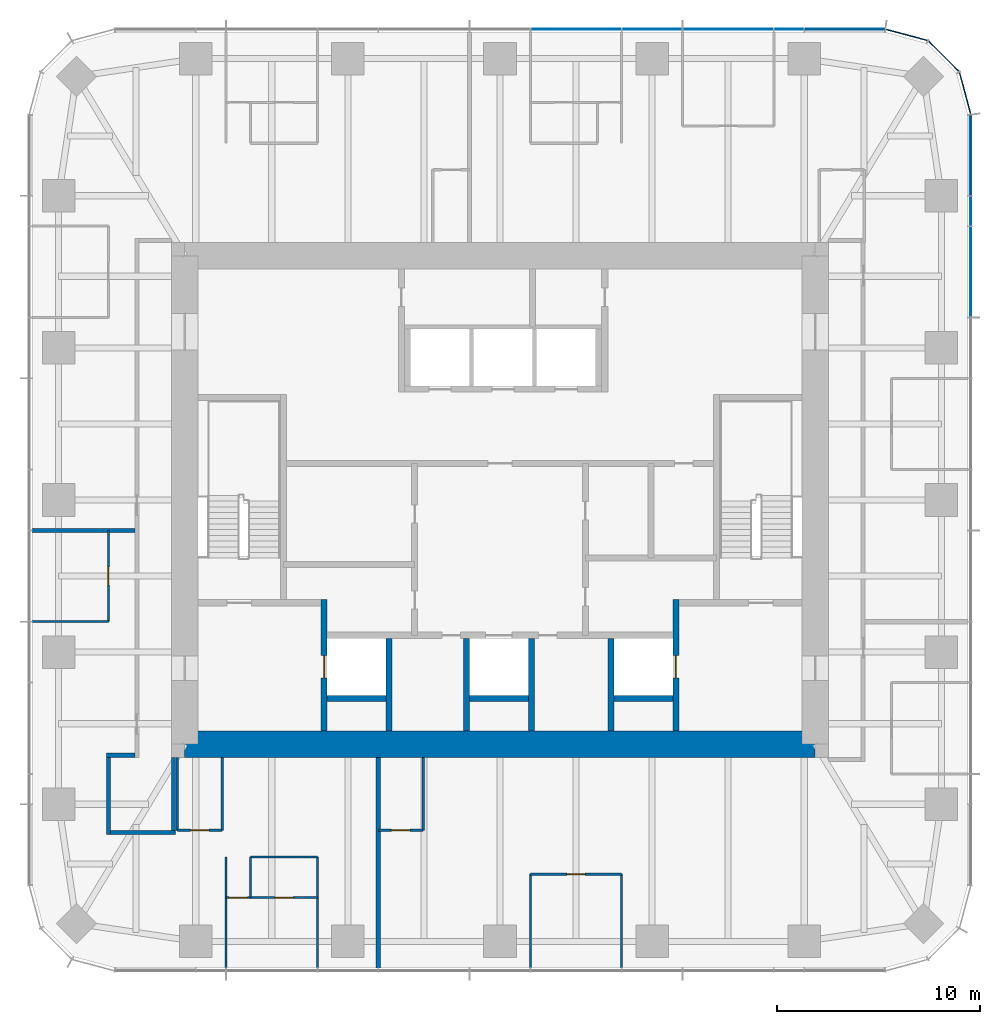
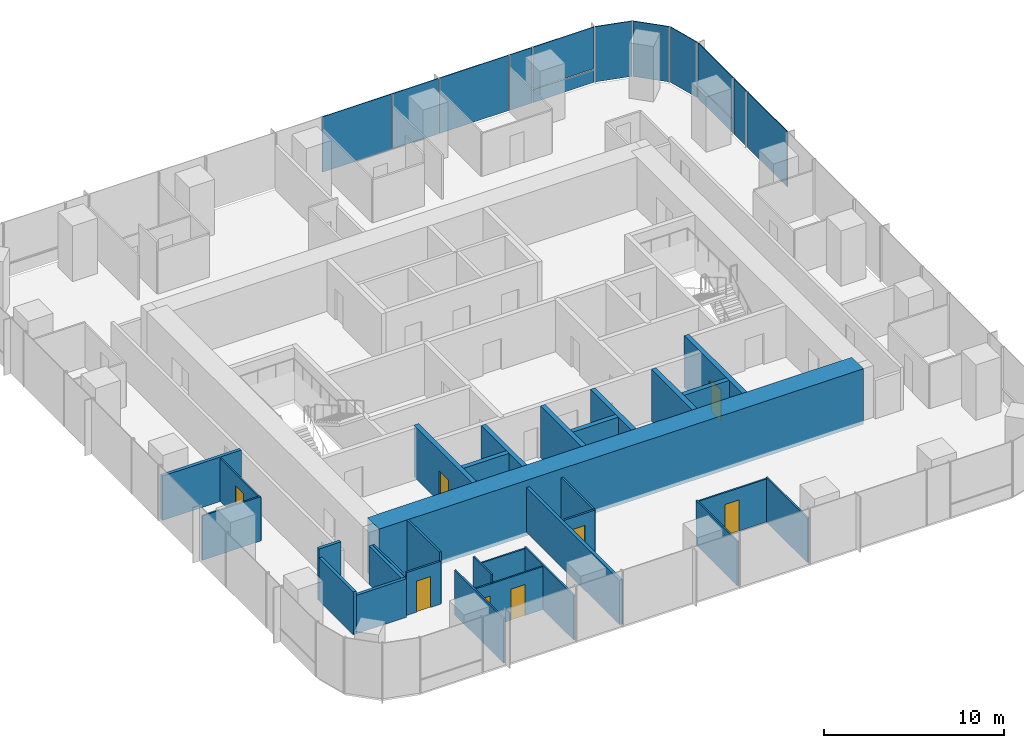
# One storey, part 8 of 12: 31 walls, 13 plates, 8 doors, 8 openings, 3 elements without a shape of their own.
"""IFC4 building model written with IfcOpenShell, lengths in metres."""

from ifc_helpers import new_model, si_unit, direction, frame, frame_2d, origin, origin_2d, place, context, subcontext, project, spatial, rectangle, extrude, material, layer, layer_set, type_object, element, fill, aggregate, save


model = new_model("IFC4")

# Units and contexts
model_context = context("Model", 3, precision=1e-05, world=origin(), true_north=direction((0.0, 1.0)))
body_context = subcontext(model_context, "Body", "Model", "MODEL_VIEW")
ifc_project = project(units=[si_unit("LENGTHUNIT", "METRE"), si_unit("AREAUNIT", "SQUARE_METRE"), si_unit("VOLUMEUNIT", "CUBIC_METRE"), si_unit("PLANEANGLEUNIT", "RADIAN"), si_unit("MASSUNIT", "GRAM", prefix="KILO")], contexts=[model_context])

# Site, building, storey
site_placement = place(None, origin())
site = spatial("IfcSite", under=ifc_project, at=site_placement, CompositionType="ELEMENT")
building_placement = place(site_placement, origin())
building = spatial("IfcBuilding", under=site, at=building_placement, Name="Khuree Lantern Residences", CompositionType="ELEMENT")
storey_placement = place(building_placement, frame((0.0, 0.0, 338.25)))
storey = spatial("IfcBuildingStorey", under=building, at=storey_placement, Name="L85", CompositionType="ELEMENT", Elevation=338.25)

# Curtain wall, plates
ifc_material_1 = material(Name="Bronze anodised aluminium", Category="aluminium")
curtain_wall_type_1 = type_object("IfcCurtainWallType", Name="CW-T2 TOWER CORNER CURTAIN WALL", PredefinedType="USERDEFINED", material=ifc_material_1)
curtain_wall_1_placement = place(storey_placement, origin())
curtain_wall_1 = element("IfcCurtainWall", 1, at=curtain_wall_1_placement, inside=storey, type_object=curtain_wall_type_1, Name="L85 NORTH-EAST CORNER CURTAIN WALL", ObjectType="Faceted corner curtain wall", PredefinedType="USERDEFINED")
ifc_material_2 = material(Name="Bronze tinted triple glazing", Category="glass")
ifc_layer_1 = layer(ifc_material_2, 0.048095703125)
ifc_layer_set_1 = layer_set([ifc_layer_1], Name="FACET PANEL P4")
plate_type_1 = type_object("IfcPlateType", Name="FACET PANEL P4", PredefinedType="CURTAIN_PANEL", material=ifc_layer_set_1)
plate_1_placement = place(storey_placement, frame((22.869140625, 19.998046875, 0.0), z_axis=(0.0, 0.0, 1.0), x_axis=(-0.2588189146, 0.965925861257, 0.0)))
plate_1 = element("IfcPlate", 2, at=plate_1_placement, type_object=plate_type_1, Name="L85 NORTH-EAST CORNER PANEL 15.1", PredefinedType="CURTAIN_PANEL", context=body_context, shape_type="SweptSolid", body=[
    extrude(rectangle(XDim=2.09814453125, YDim=0.048095703125, at=origin_2d()), origin(), (0.0, 0.0, 1.0), 3.75),
])
plate_2_placement = place(storey_placement, frame((21.818603515625, 21.818603515625, 0.0), z_axis=(0.0, 0.0, 1.0), x_axis=(-0.707106781187, 0.707106781187, 0.0)))
plate_2 = element("IfcPlate", 3, at=plate_2_placement, type_object=plate_type_1, Name="L85 NORTH-EAST CORNER PANEL 16.1", PredefinedType="CURTAIN_PANEL", context=body_context, shape_type="SweptSolid", body=[
    extrude(rectangle(XDim=2.093994140625, YDim=0.048095703125, at=origin_2d()), origin(), (0.0, 0.0, 1.0), 3.75),
])
plate_3_placement = place(storey_placement, frame((19.998046875, 22.869140625, 0.0), z_axis=(0.0, 0.0, 1.0), x_axis=(-0.965925861257, 0.2588189146, 0.0)))
plate_3 = element("IfcPlate", 4, at=plate_3_placement, type_object=plate_type_1, Name="L85 NORTH-EAST CORNER PANEL 17.1", PredefinedType="CURTAIN_PANEL", context=body_context, shape_type="SweptSolid", body=[
    extrude(rectangle(XDim=2.09814453125, YDim=0.048095703125, at=origin_2d()), origin(), (0.0, 0.0, 1.0), 3.75),
])
aggregate(curtain_wall_1, [plate_1, plate_2, plate_3])

# Curtain wall, plate
curtain_wall_type_2 = type_object("IfcCurtainWallType", Name="CW-T1 TOWER FACE CURTAIN WALL", PredefinedType="USERDEFINED", material=ifc_material_1)
curtain_wall_2_placement = place(storey_placement, origin())
curtain_wall_2 = element("IfcCurtainWall", 5, at=curtain_wall_2_placement, inside=storey, type_object=curtain_wall_type_2, Name="L85 EAST FACE CURTAIN WALL", ObjectType="Stick-built curtain wall", PredefinedType="USERDEFINED")
ifc_material_3 = material(Name="Bronze tinted triple glazing with a ceramic-fritted spandrel band", Category="glass")
ifc_layer_2 = layer(ifc_material_3, 0.048095703125)
ifc_layer_set_2 = layer_set([ifc_layer_2], Name="FIXED LIGHT PANEL P11")
plate_type_2 = type_object("IfcPlateType", Name="FIXED LIGHT PANEL P11", PredefinedType="CURTAIN_PANEL", material=ifc_layer_set_2)
plate_4_placement = place(storey_placement, frame((23.14990234375, 11.219970703125, 0.0), z_axis=(0.0, 0.0, 1.0), x_axis=(0.0, 1.0, 0.0)))
plate_4 = element("IfcPlate", 6, at=plate_4_placement, type_object=plate_type_2, Name="L85 EAST FACE PANEL 12.1", PredefinedType="CURTAIN_PANEL", context=body_context, shape_type="SweptSolid", body=[
    extrude(rectangle(XDim=4.423095703125, YDim=0.048095703125, at=origin_2d()), origin(), (0.0, 0.0, 1.0), 3.75),
])

# Curtain wall, plates
curtain_wall_3_placement = place(storey_placement, origin())
curtain_wall_3 = element("IfcCurtainWall", 7, at=curtain_wall_3_placement, inside=storey, type_object=curtain_wall_type_2, Name="L85 NORTH FACE CURTAIN WALL", ObjectType="Stick-built curtain wall", PredefinedType="USERDEFINED")
plate_5_placement = place(storey_placement, frame((11.219970703125, 23.14990234375, 0.0), z_axis=(0.0, 0.0, 1.0), x_axis=(-1.0, 0.0, 0.0)))
plate_5 = element("IfcPlate", 8, at=plate_5_placement, type_object=plate_type_2, Name="L85 NORTH FACE PANEL 20.1", PredefinedType="CURTAIN_PANEL", context=body_context, shape_type="SweptSolid", body=[
    extrude(rectangle(XDim=4.423095703125, YDim=0.048095703125, at=origin_2d()), origin(), (0.0, 0.0, 1.0), 3.75),
])
plate_6_placement = place(storey_placement, frame((3.739990234375, 23.14990234375, 0.0), z_axis=(0.0, 0.0, 1.0), x_axis=(-1.0, 0.0, 0.0)))
plate_6 = element("IfcPlate", 9, at=plate_6_placement, type_object=plate_type_2, Name="L85 NORTH FACE PANEL 22.1", PredefinedType="CURTAIN_PANEL", context=body_context, shape_type="SweptSolid", body=[
    extrude(rectangle(XDim=4.423095703125, YDim=0.048095703125, at=origin_2d()), origin(), (0.0, 0.0, 1.0), 3.75),
])
ifc_material_4 = material(Name="Bronze tinted triple glazing, two aluminium-framed sashes in one frame", Category="aluminium")
ifc_layer_3 = layer(ifc_material_4, 0.048095703125)
ifc_layer_set_3 = layer_set([ifc_layer_3], Name="SASH PAIR PANEL P12")
plate_type_3 = type_object("IfcPlateType", Name="SASH PAIR PANEL P12", PredefinedType="CURTAIN_PANEL", material=ifc_layer_set_3)
plate_7_placement = place(storey_placement, frame((7.47998046875, 23.14990234375, 0.0), z_axis=(0.0, 0.0, 1.0), x_axis=(-1.0, 0.0, 0.0)))
plate_7 = element("IfcPlate", 10, at=plate_7_placement, type_object=plate_type_3, Name="L85 NORTH FACE PANEL 21.1", PredefinedType="CURTAIN_PANEL", context=body_context, shape_type="SweptSolid", body=[
    extrude(rectangle(XDim=2.927001953125, YDim=0.048095703125, at=origin_2d()), origin(), (0.0, 0.0, 1.0), 3.75),
])

# Plate
ifc_material_5 = material(Name="Bronze tinted triple glazing, aluminium-framed sash", Category="aluminium")
ifc_layer_4 = layer(ifc_material_5, 0.048095703125)
ifc_layer_set_4 = layer_set([ifc_layer_4], Name="SASH PANEL P3")
plate_type_4 = type_object("IfcPlateType", Name="SASH PANEL P3", PredefinedType="CURTAIN_PANEL", material=ifc_layer_set_4)
plate_8_placement = place(storey_placement, frame((23.14990234375, 14.2119140625, 0.0), z_axis=(0.0, 0.0, 1.0), x_axis=(0.0, 1.0, 0.0)))
plate_8 = element("IfcPlate", 11, at=plate_8_placement, type_object=plate_type_4, Name="L85 EAST FACE PANEL 13.1", PredefinedType="CURTAIN_PANEL", context=body_context, shape_type="SweptSolid", body=[
    extrude(rectangle(XDim=1.430908203125, YDim=0.048095703125, at=origin_2d()), origin(), (0.0, 0.0, 1.0), 3.75),
])

plate_9_placement = place(storey_placement, frame((14.2119140625, 23.14990234375, 0.0), z_axis=(0.0, 0.0, 1.0), x_axis=(-1.0, 0.0, 0.0)))
plate_9 = element("IfcPlate", 12, at=plate_9_placement, type_object=plate_type_4, Name="L85 NORTH FACE PANEL 19.1", PredefinedType="CURTAIN_PANEL", context=body_context, shape_type="SweptSolid", body=[
    extrude(rectangle(XDim=1.430908203125, YDim=0.048095703125, at=origin_2d()), origin(), (0.0, 0.0, 1.0), 3.75),
])

ifc_material_6 = material(Name="Bronze anodised aluminium insulated spandrel", Category="aluminium")
ifc_layer_5 = layer(ifc_material_6, 0.06005859375)
ifc_layer_set_5 = layer_set([ifc_layer_5], Name="SPANDREL PANEL P2")
plate_type_5 = type_object("IfcPlateType", Name="SPANDREL PANEL P2", PredefinedType="CURTAIN_PANEL", material=ifc_layer_set_5)
plate_10_placement = place(storey_placement, frame((23.14990234375, 16.952880859375, 0.0), z_axis=(0.0, 0.0, 1.0), x_axis=(0.0, 1.0, 0.0)))
plate_10 = element("IfcPlate", 13, at=plate_10_placement, type_object=plate_type_5, Name="L85 EAST FACE PANEL 14.1", PredefinedType="CURTAIN_PANEL", context=body_context, shape_type="SweptSolid", body=[
    extrude(rectangle(XDim=3.920654296875, YDim=0.06005859375, at=origin_2d()), origin(), (0.0, 0.0, 1.0), 0.867431640625),
])

plate_11_placement = place(storey_placement, frame((16.952880859375, 23.14990234375, 0.0), z_axis=(0.0, 0.0, 1.0), x_axis=(-1.0, 0.0, 0.0)))
plate_11 = element("IfcPlate", 14, at=plate_11_placement, type_object=plate_type_5, Name="L85 NORTH FACE PANEL 18.1", PredefinedType="CURTAIN_PANEL", context=body_context, shape_type="SweptSolid", body=[
    extrude(rectangle(XDim=3.920654296875, YDim=0.06005859375, at=origin_2d()), origin(), (0.0, 0.0, 1.0), 0.867431640625),
])

ifc_layer_6 = layer(ifc_material_2, 0.048095703125)
ifc_layer_set_6 = layer_set([ifc_layer_6], Name="VISION PANEL P1")
plate_type_6 = type_object("IfcPlateType", Name="VISION PANEL P1", PredefinedType="CURTAIN_PANEL", material=ifc_layer_set_6)
plate_12_placement = place(storey_placement, frame((23.14990234375, 16.953369140625, 0.9326171875), z_axis=(0.0, 0.0, 1.0), x_axis=(0.0, 1.0, 0.0)))
plate_12 = element("IfcPlate", 15, at=plate_12_placement, type_object=plate_type_6, Name="L85 EAST FACE PANEL 14.2", PredefinedType="CURTAIN_PANEL", context=body_context, shape_type="SweptSolid", body=[
    extrude(rectangle(XDim=3.921630859375, YDim=0.048095703125, at=origin_2d()), origin(), (0.0, 0.0, 1.0), 2.8173828125),
])

aggregate(curtain_wall_2, [plate_4, plate_8, plate_10, plate_12])

plate_13_placement = place(storey_placement, frame((16.953369140625, 23.14990234375, 0.9326171875), z_axis=(0.0, 0.0, 1.0), x_axis=(-1.0, 0.0, 0.0)))
plate_13 = element("IfcPlate", 16, at=plate_13_placement, type_object=plate_type_6, Name="L85 NORTH FACE PANEL 18.2", PredefinedType="CURTAIN_PANEL", context=body_context, shape_type="SweptSolid", body=[
    extrude(rectangle(XDim=3.921630859375, YDim=0.048095703125, at=origin_2d()), origin(), (0.0, 0.0, 1.0), 2.8173828125),
])

aggregate(curtain_wall_3, [plate_11, plate_13, plate_9, plate_5, plate_7, plate_6])

# Wall, opening, door
ifc_material_7 = material(Name="Moisture-resistant gypsum board on steel studs", Category="steel")
ifc_layer_7 = layer(ifc_material_7, 0.125)
ifc_layer_set_7 = layer_set([ifc_layer_7], Name="BATHROOM WALL BTW125")
wall_type_1 = type_object("IfcWallType", Name="BATHROOM WALL BTW125", PredefinedType="PARTITIONING", material=ifc_layer_set_7)
wall_1_placement = place(storey_placement, frame((-15.866455078125, -16.246337890625, 0.0), z_axis=(0.0, 0.0, 1.0), x_axis=(1.0, 0.0, 0.0)))
wall_1 = element("IfcWall", 17, at=wall_1_placement, inside=storey, type_object=wall_type_1, Name="L85 BATHROOM WALL 03", PredefinedType="PARTITIONING", context=body_context, shape_type="SweptSolid", body=[
    extrude(rectangle(XDim=2.199951171875, YDim=0.125, at=frame_2d((1.10009765625, 0.0))), origin(), (0.0, 0.0, 1.0), 2.89990234375),
])
opening_1_placement = place(wall_1_placement, frame((0.64990234375, 0.0, 0.0)))
opening_1 = element("IfcOpeningElement", 18, at=opening_1_placement, cuts=wall_1, Name="Opening 85-037", PredefinedType="OPENING", context=body_context, shape_type="SweptSolid", body=[
    extrude(rectangle(XDim=0.89990234375, YDim=2.10009765625, at=frame_2d((0.449951171875, 1.050048828125))), frame((0.0, 0.072509765625, 0.0), z_axis=(0.0, -1.0, 0.0), x_axis=(1.0, 0.0, 0.0)), (0.0, 0.0, 1.0), 0.14501953125),
])
ifc_material_8 = material(Name="Timber door leaf in hardwood frame", Category="wood")
door_type_1 = type_object("IfcDoorType", Name="BATHROOM DOOR 900X2100", OperationType="SINGLE_SWING_LEFT", PredefinedType="DOOR", material=ifc_material_8)
door_1_placement = place(opening_1_placement, origin())
door_1 = element("IfcDoor", 19, at=door_1_placement, inside=storey, type_object=door_type_1, Name="Bathroom door 85-037", OperationType="SINGLE_SWING_LEFT", OverallHeight=2.10009765625, OverallWidth=0.89990234375, PredefinedType="DOOR", context=body_context, shape_type="SweptSolid", body=[
    extrude(rectangle(XDim=0.89990234375, YDim=2.10009765625, at=frame_2d((0.449951171875, 1.050048828125))), frame((0.0, 0.02490234375, 0.0), z_axis=(0.0, -1.0, 0.0), x_axis=(1.0, 0.0, 0.0)), (0.0, 0.0, 1.0), 0.050048828125),
])
fill(opening_1, door_1)

# Walls
wall_2_placement = place(storey_placement, frame((-15.866455078125, -12.64990234375, 0.0), z_axis=(0.0, 0.0, 1.0), x_axis=(0.0, -1.0, 0.0)))
element("IfcWall", 20, at=wall_2_placement, inside=storey, type_object=wall_type_1, Name="L85 BATHROOM WALL 03", PredefinedType="PARTITIONING", context=body_context, shape_type="SweptSolid", body=[
    extrude(rectangle(XDim=3.596435546875, YDim=0.125, at=frame_2d((1.79833984375, 0.0))), origin(), (0.0, 0.0, 1.0), 2.60009765625),
])
wall_3_placement = place(storey_placement, frame((-13.66650390625, -12.64990234375, 0.0), z_axis=(0.0, 0.0, 1.0), x_axis=(0.0, -1.0, 0.0)))
element("IfcWall", 21, at=wall_3_placement, inside=storey, type_object=wall_type_1, Name="L85 BATHROOM WALL 03", PredefinedType="PARTITIONING", context=body_context, shape_type="SweptSolid", body=[
    extrude(rectangle(XDim=3.596435546875, YDim=0.125, at=frame_2d((1.79833984375, 0.0))), origin(), (0.0, 0.0, 1.0), 3.5),
])

# Wall, opening, door
wall_4_placement = place(storey_placement, frame((-5.98388671875, -16.246337890625, 0.0), z_axis=(0.0, 0.0, 1.0), x_axis=(1.0, 0.0, 0.0)))
wall_4 = element("IfcWall", 22, at=wall_4_placement, inside=storey, type_object=wall_type_1, Name="L85 BATHROOM WALL 04", PredefinedType="PARTITIONING", context=body_context, shape_type="SweptSolid", body=[
    extrude(rectangle(XDim=2.199951171875, YDim=0.125, at=frame_2d((1.10009765625, 0.0))), origin(), (0.0, 0.0, 1.0), 2.909912109375),
])
opening_2_placement = place(wall_4_placement, frame((0.64990234375, 0.0, 0.0)))
opening_2 = element("IfcOpeningElement", 23, at=opening_2_placement, cuts=wall_4, Name="Opening 85-041", PredefinedType="OPENING", context=body_context, shape_type="SweptSolid", body=[
    extrude(rectangle(XDim=0.89990234375, YDim=2.10009765625, at=frame_2d((0.449951171875, 1.050048828125))), frame((0.0, 0.072509765625, 0.0), z_axis=(0.0, -1.0, 0.0), x_axis=(1.0, 0.0, 0.0)), (0.0, 0.0, 1.0), 0.14501953125),
])
door_2_placement = place(opening_2_placement, origin())
door_2 = element("IfcDoor", 24, at=door_2_placement, inside=storey, type_object=door_type_1, Name="Bathroom door 85-041", OperationType="SINGLE_SWING_LEFT", OverallHeight=2.10009765625, OverallWidth=0.89990234375, PredefinedType="DOOR", context=body_context, shape_type="SweptSolid", body=[
    extrude(rectangle(XDim=0.89990234375, YDim=2.10009765625, at=frame_2d((0.449951171875, 1.050048828125))), frame((0.0, 0.02490234375, 0.0), z_axis=(0.0, -1.0, 0.0), x_axis=(1.0, 0.0, 0.0)), (0.0, 0.0, 1.0), 0.050048828125),
])
fill(opening_2, door_2)

# Wall
wall_5_placement = place(storey_placement, frame((-3.783935546875, -12.64990234375, 0.0), z_axis=(0.0, 0.0, 1.0), x_axis=(0.0, -1.0, 0.0)))
element("IfcWall", 25, at=wall_5_placement, inside=storey, type_object=wall_type_1, Name="L85 BATHROOM WALL 04", PredefinedType="PARTITIONING", context=body_context, shape_type="SweptSolid", body=[
    extrude(rectangle(XDim=3.596435546875, YDim=0.125, at=frame_2d((1.79833984375, 0.0))), origin(), (0.0, 0.0, 1.0), 2.909912109375),
])

# Wall, opening, door
ifc_material_9 = material(Name="Dense concrete blockwork", Category="masonry")
ifc_layer_8 = layer(ifc_material_9, 0.300048828125)
ifc_layer_set_8 = layer_set([ifc_layer_8], Name="CORE PARTITION WALL CPW300 EI 120")
wall_type_2 = type_object("IfcWallType", Name="CORE PARTITION WALL CPW300 EI 120", PredefinedType="PARTITIONING", material=ifc_layer_set_8)
wall_6_placement = place(storey_placement, frame((-8.64990234375, -11.35009765625, 0.0), z_axis=(0.0, 0.0, 1.0), x_axis=(0.0, 1.0, 0.0)))
wall_6 = element("IfcWall", 26, at=wall_6_placement, inside=storey, type_object=wall_type_2, Name="L85 CORE WALL FL1W", PredefinedType="PARTITIONING", context=body_context, shape_type="SweptSolid", body=[
    extrude(rectangle(XDim=6.4501953125, YDim=0.300048828125, at=frame_2d((3.22509765625, 0.0))), origin(), (0.0, 0.0, 1.0), 3.5),
])
opening_3_placement = place(wall_6_placement, frame((2.60009765625, 0.0, 0.0)))
opening_3 = element("IfcOpeningElement", 27, at=opening_3_placement, cuts=wall_6, Name="Opening 85-007", PredefinedType="OPENING", context=body_context, shape_type="SweptSolid", body=[
    extrude(rectangle(XDim=1.10009765625, YDim=2.10009765625, at=frame_2d((0.550048828125, 1.050048828125))), frame((0.0, 0.16015625, 0.0), z_axis=(0.0, -1.0, 0.0), x_axis=(1.0, 0.0, 0.0)), (0.0, 0.0, 1.0), 0.320068359375),
])
ifc_material_10 = material(Name="Stainless steel lift landing door", Category="steel")
door_type_2 = type_object("IfcDoorType", Name="LIFT LANDING DOOR 1100X2100 E 120", OperationType="DOUBLE_DOOR_SLIDING", PredefinedType="DOOR", material=ifc_material_10)
door_3_placement = place(opening_3_placement, origin())
door_3 = element("IfcDoor", 28, at=door_3_placement, inside=storey, type_object=door_type_2, Name="Landing door FL1 85-007", OperationType="DOUBLE_DOOR_SLIDING", OverallHeight=2.10009765625, OverallWidth=1.10009765625, PredefinedType="DOOR", context=body_context, shape_type="SweptSolid", body=[
    extrude(rectangle(XDim=1.10009765625, YDim=2.10009765625, at=frame_2d((0.550048828125, 1.050048828125))), frame((0.0, 0.02490234375, 0.0), z_axis=(0.0, -1.0, 0.0), x_axis=(1.0, 0.0, 0.0)), (0.0, 0.0, 1.0), 0.050048828125),
])
fill(opening_3, door_3)

wall_7_placement = place(storey_placement, frame((8.64990234375, -11.35009765625, 0.0), z_axis=(0.0, 0.0, 1.0), x_axis=(0.0, 1.0, 0.0)))
wall_7 = element("IfcWall", 29, at=wall_7_placement, inside=storey, type_object=wall_type_2, Name="L85 CORE WALL FL2E", PredefinedType="PARTITIONING", context=body_context, shape_type="SweptSolid", body=[
    extrude(rectangle(XDim=6.4501953125, YDim=0.300048828125, at=frame_2d((3.22509765625, 0.0))), origin(), (0.0, 0.0, 1.0), 3.5),
])
opening_4_placement = place(wall_7_placement, frame((2.60009765625, 0.0, 0.0)))
opening_4 = element("IfcOpeningElement", 30, at=opening_4_placement, cuts=wall_7, Name="Opening 85-008", PredefinedType="OPENING", context=body_context, shape_type="SweptSolid", body=[
    extrude(rectangle(XDim=1.10009765625, YDim=2.10009765625, at=frame_2d((0.550048828125, 1.050048828125))), frame((0.0, 0.16015625, 0.0), z_axis=(0.0, -1.0, 0.0), x_axis=(1.0, 0.0, 0.0)), (0.0, 0.0, 1.0), 0.320068359375),
])
door_4_placement = place(opening_4_placement, origin())
door_4 = element("IfcDoor", 31, at=door_4_placement, inside=storey, type_object=door_type_2, Name="Landing door FL2 85-008", OperationType="DOUBLE_DOOR_SLIDING", OverallHeight=2.10009765625, OverallWidth=1.10009765625, PredefinedType="DOOR", context=body_context, shape_type="SweptSolid", body=[
    extrude(rectangle(XDim=1.10009765625, YDim=2.10009765625, at=frame_2d((0.550048828125, 1.050048828125))), frame((0.0, 0.02490234375, 0.0), z_axis=(0.0, -1.0, 0.0), x_axis=(1.0, 0.0, 0.0)), (0.0, 0.0, 1.0), 0.050048828125),
])
fill(opening_4, door_4)

# Walls
for number, where, z_axis, x_axis, name in (
    (32, (-5.449951171875, -11.35009765625, 0.0), (0.0, 0.0, 1.0), (0.0, 1.0, 0.0), "L85 CORE WALL FL1E"),
    (33, (-1.64990234375, -11.35009765625, 0.0), (0.0, 0.0, 1.0), (0.0, 1.0, 0.0), "L85 CORE WALL SL1W"),
    (34, (1.550048828125, -11.35009765625, 0.0), (0.0, 0.0, 1.0), (0.0, 1.0, 0.0), "L85 CORE WALL SL1E"),
    (35, (5.449951171875, -11.35009765625, 0.0), (0.0, 0.0, 1.0), (0.0, 1.0, 0.0), "L85 CORE WALL FL2W"),
):
    element("IfcWall", number, at=place(storey_placement, frame(where, z_axis=z_axis, x_axis=x_axis)), inside=storey, type_object=wall_type_2, Name=name, PredefinedType="PARTITIONING", context=body_context, shape_type="SweptSolid", body=[
        extrude(rectangle(XDim=4.550048828125, YDim=0.300048828125, at=frame_2d((2.27490234375, 0.0))), origin(), (0.0, 0.0, 1.0), 3.5),
    ])
for number, where, z_axis, x_axis, name in (
    (36, (-8.5, -9.75, 0.0), (0.0, 0.0, 1.0), (1.0, 0.0, 0.0), "L85 CORE WALL FL1S"),
    (37, (-1.5, -9.75, 0.0), (0.0, 0.0, 1.0), (1.0, 0.0, 0.0), "L85 CORE WALL SL1S"),
    (38, (5.60009765625, -9.75, 0.0), (0.0, 0.0, 1.0), (1.0, 0.0, 0.0), "L85 CORE WALL FL2S"),
):
    element("IfcWall", number, at=place(storey_placement, frame(where, z_axis=z_axis, x_axis=x_axis)), inside=storey, type_object=wall_type_2, Name=name, PredefinedType="PARTITIONING", context=body_context, shape_type="SweptSolid", body=[
        extrude(rectangle(XDim=2.89990234375, YDim=0.300048828125, at=frame_2d((1.449951171875, 0.0))), origin(), (0.0, 0.0, 1.0), 3.5),
    ])
ifc_material_11 = material(Name="Gypsum board on steel studs", Category="steel")
ifc_layer_9 = layer(ifc_material_11, 0.199951171875)
ifc_layer_set_9 = layer_set([ifc_layer_9], Name="CORRIDOR WALL CRW200 EI 60")
wall_type_3 = type_object("IfcWallType", Name="CORRIDOR WALL CRW200 EI 60", PredefinedType="PARTITIONING", material=ifc_layer_set_9)
wall_8_placement = place(storey_placement, frame((-17.949951171875, -12.550048828125, 0.0), z_axis=(0.0, 0.0, 1.0), x_axis=(-1.0, 0.0, 0.0)))
element("IfcWall", 39, at=wall_8_placement, inside=storey, type_object=wall_type_3, Name="L85 RESIDENTS LOUNGE WALL", PredefinedType="PARTITIONING", context=body_context, shape_type="SweptSolid", body=[
    extrude(rectangle(XDim=1.400146484375, YDim=0.199951171875, at=frame_2d((0.7001953125, 0.0))), origin(), (0.0, 0.0, 1.0), 3.5),
])
wall_9_placement = place(storey_placement, frame((-19.25, -12.449951171875, 0.0), z_axis=(0.0, 0.0, 1.0), x_axis=(0.0, -1.0, 0.0)))
element("IfcWall", 40, at=wall_9_placement, inside=storey, type_object=wall_type_3, Name="L85 RESIDENTS LOUNGE WALL", PredefinedType="PARTITIONING", context=body_context, shape_type="SweptSolid", body=[
    extrude(rectangle(XDim=4.0, YDim=0.199951171875, at=frame_2d((2.0, 0.0))), origin(), (0.0, 0.0, 1.0), 2.89990234375),
])
wall_10_placement = place(storey_placement, frame((-19.14990234375, -16.35009765625, 0.0), z_axis=(0.0, 0.0, 1.0), x_axis=(1.0, 0.0, 0.0)))
element("IfcWall", 41, at=wall_10_placement, inside=storey, type_object=wall_type_3, Name="L85 RESIDENTS LOUNGE WALL", PredefinedType="PARTITIONING", context=body_context, shape_type="SweptSolid", body=[
    extrude(rectangle(XDim=3.199951171875, YDim=0.199951171875, at=frame_2d((1.60009765625, 0.0))), origin(), (0.0, 0.0, 1.0), 2.60009765625),
])
wall_11_placement = place(storey_placement, frame((-16.050048828125, -16.449951171875, 0.0), z_axis=(0.0, 0.0, 1.0), x_axis=(0.0, 1.0, 0.0)))
element("IfcWall", 42, at=wall_11_placement, inside=storey, type_object=wall_type_3, Name="L85 RESIDENTS LOUNGE WALL", PredefinedType="PARTITIONING", context=body_context, shape_type="SweptSolid", body=[
    extrude(rectangle(XDim=3.800048828125, YDim=0.199951171875, at=frame_2d((1.89990234375, 0.0))), origin(), (0.0, 0.0, 1.0), 2.60009765625),
])
ifc_material_12 = material(Name="Concrete C50/60", Category="concrete")
ifc_layer_10 = layer(ifc_material_12, 1.300048828125)
ifc_layer_set_10 = layer_set([ifc_layer_10], Name="CW1300-C50 CORE WALL C50 1300")
wall_type_4 = type_object("IfcWallType", Name="CW1300-C50 CORE WALL C50 1300", PredefinedType="SHEAR", material=ifc_layer_set_10)
wall_12_placement = place(storey_placement, frame((-15.5, -12.0, -0.25), z_axis=(0.0, 0.0, 1.0), x_axis=(1.0, 0.0, 0.0)))
element("IfcWall", 43, at=wall_12_placement, inside=storey, type_object=wall_type_4, Name="Core wall S", PredefinedType="SHEAR", context=body_context, shape_type="SweptSolid", body=[
    extrude(rectangle(XDim=31.0, YDim=1.300048828125, at=frame_2d((15.5, 0.0))), origin(), (0.0, 0.0, 1.0), 3.75),
])
ifc_layer_11 = layer(ifc_material_11, 0.199951171875)
ifc_layer_set_11 = layer_set([ifc_layer_11], Name="DEMISING WALL DMW200 EI 90")
wall_type_5 = type_object("IfcWallType", Name="DEMISING WALL DMW200 EI 90", PredefinedType="PARTITIONING", material=ifc_layer_set_11)
wall_13_placement = place(storey_placement, frame((-17.949951171875, -1.49609375, 0.0), z_axis=(0.0, 0.0, 1.0), x_axis=(-1.0, 0.0, 0.0)))
element("IfcWall", 44, at=wall_13_placement, inside=storey, type_object=wall_type_5, Name="L85 DEMISING WALL 03", PredefinedType="PARTITIONING", context=body_context, shape_type="SweptSolid", body=[
    extrude(rectangle(XDim=5.050048828125, YDim=0.199951171875, at=frame_2d((2.52490234375, 0.0))), origin(), (0.0, 0.0, 1.0), 3.010009765625),
])
wall_14_placement = place(storey_placement, frame((-5.98388671875, -12.64990234375, 0.0), z_axis=(0.0, 0.0, 1.0), x_axis=(0.0, -1.0, 0.0)))
element("IfcWall", 45, at=wall_14_placement, inside=storey, type_object=wall_type_5, Name="L85 DEMISING WALL 04", PredefinedType="PARTITIONING", context=body_context, shape_type="SweptSolid", body=[
    extrude(rectangle(XDim=10.35009765625, YDim=0.199951171875, at=frame_2d((5.175048828125, 0.0))), origin(), (0.0, 0.0, 1.0), 3.010009765625),
])
ifc_layer_12 = layer(ifc_material_11, 0.10009765625)
ifc_layer_set_12 = layer_set([ifc_layer_12], Name="PARTITION PT100")
wall_type_6 = type_object("IfcWallType", Name="PARTITION PT100", PredefinedType="PARTITIONING", material=ifc_layer_set_12)
wall_15_placement = place(storey_placement, frame((-19.25, -5.98388671875, 0.0), z_axis=(0.0, 0.0, 1.0), x_axis=(-1.0, 0.0, 0.0)))
element("IfcWall", 46, at=wall_15_placement, inside=storey, type_object=wall_type_6, Name="L85 PARTITION 03", PredefinedType="PARTITIONING", context=body_context, shape_type="SweptSolid", body=[
    extrude(rectangle(XDim=3.75, YDim=0.10009765625, at=frame_2d((1.875, 0.0))), origin(), (0.0, 0.0, 1.0), 3.010009765625),
])
for number, where, z_axis, x_axis, name in (
    (47, (-13.464111328125, -17.54638671875, 0.0), (0.0, 0.0, 1.0), (0.0, -1.0, 0.0), "L85 PARTITION 03"),
    (48, (-8.97607421875, -17.54638671875, 0.0), (0.0, 0.0, 1.0), (0.0, -1.0, 0.0), "L85 PARTITION 03"),
):
    element("IfcWall", number, at=place(storey_placement, frame(where, z_axis=z_axis, x_axis=x_axis)), inside=storey, type_object=wall_type_6, Name=name, PredefinedType="PARTITIONING", context=body_context, shape_type="SweptSolid", body=[
        extrude(rectangle(XDim=5.45361328125, YDim=0.10009765625, at=frame_2d((2.726806640625, 0.0))), origin(), (0.0, 0.0, 1.0), 3.010009765625),
    ])
for number, where, z_axis, x_axis, name in (
    (49, (1.49609375, -18.39990234375, 0.0), (0.0, 0.0, 1.0), (0.0, -1.0, 0.0), "L85 PARTITION 04"),
    (50, (5.98388671875, -18.39990234375, 0.0), (0.0, 0.0, 1.0), (0.0, -1.0, 0.0), "L85 PARTITION 04"),
):
    element("IfcWall", number, at=place(storey_placement, frame(where, z_axis=z_axis, x_axis=x_axis)), inside=storey, type_object=wall_type_6, Name=name, PredefinedType="PARTITIONING", context=body_context, shape_type="SweptSolid", body=[
        extrude(rectangle(XDim=4.60009765625, YDim=0.10009765625, at=frame_2d((2.300048828125, 0.0))), origin(), (0.0, 0.0, 1.0), 3.010009765625),
    ])

# Wall, opening, door
wall_16_placement = place(storey_placement, frame((-19.25, -1.49609375, 0.0), z_axis=(0.0, 0.0, 1.0), x_axis=(0.0, -1.0, 0.0)))
wall_16 = element("IfcWall", 51, at=wall_16_placement, inside=storey, type_object=wall_type_6, Name="L85 PARTITION 03", PredefinedType="PARTITIONING", context=body_context, shape_type="SweptSolid", body=[
    extrude(rectangle(XDim=4.48779296875, YDim=0.10009765625, at=frame_2d((2.243896484375, 0.0))), origin(), (0.0, 0.0, 1.0), 2.909912109375),
])
opening_5_placement = place(wall_16_placement, frame((1.7939453125, 0.0, 0.0)))
opening_5 = element("IfcOpeningElement", 52, at=opening_5_placement, cuts=wall_16, Name="Opening 85-034", PredefinedType="OPENING", context=body_context, shape_type="SweptSolid", body=[
    extrude(rectangle(XDim=0.89990234375, YDim=2.10009765625, at=frame_2d((0.449951171875, 1.050048828125))), frame((0.0, 0.06005859375, 0.0), z_axis=(0.0, -1.0, 0.0), x_axis=(1.0, 0.0, 0.0)), (0.0, 0.0, 1.0), 0.1201171875),
])
door_type_3 = type_object("IfcDoorType", Name="BEDROOM DOOR 900X2100", OperationType="SINGLE_SWING_LEFT", PredefinedType="DOOR", material=ifc_material_8)
door_5_placement = place(opening_5_placement, origin())
door_5 = element("IfcDoor", 53, at=door_5_placement, inside=storey, type_object=door_type_3, Name="Bedroom door 85-034", OperationType="SINGLE_SWING_LEFT", OverallHeight=2.10009765625, OverallWidth=0.89990234375, PredefinedType="DOOR", context=body_context, shape_type="SweptSolid", body=[
    extrude(rectangle(XDim=0.89990234375, YDim=2.10009765625, at=frame_2d((0.449951171875, 1.050048828125))), frame((0.0, 0.02490234375, 0.0), z_axis=(0.0, -1.0, 0.0), x_axis=(1.0, 0.0, 0.0)), (0.0, 0.0, 1.0), 0.050048828125),
])
fill(opening_5, door_5)

# Wall, openings, doors
wall_17_placement = place(storey_placement, frame((-13.464111328125, -19.54638671875, 0.0), z_axis=(0.0, 0.0, 1.0), x_axis=(1.0, 0.0, 0.0)))
wall_17 = element("IfcWall", 54, at=wall_17_placement, inside=storey, type_object=wall_type_6, Name="L85 PARTITION 03", PredefinedType="PARTITIONING", context=body_context, shape_type="SweptSolid", body=[
    extrude(rectangle(XDim=4.488037109375, YDim=0.10009765625, at=frame_2d((2.244140625, 0.0))), origin(), (0.0, 0.0, 1.0), 2.909912109375),
])
opening_6_placement = place(wall_17_placement, frame((0.14990234375, 0.0, 0.0)))
opening_6 = element("IfcOpeningElement", 55, at=opening_6_placement, cuts=wall_17, Name="Opening 85-035", PredefinedType="OPENING", context=body_context, shape_type="SweptSolid", body=[
    extrude(rectangle(XDim=0.89990234375, YDim=2.10009765625, at=frame_2d((0.449951171875, 1.050048828125))), frame((0.0, 0.06005859375, 0.0), z_axis=(0.0, -1.0, 0.0), x_axis=(1.0, 0.0, 0.0)), (0.0, 0.0, 1.0), 0.1201171875),
])
opening_7_placement = place(wall_17_placement, frame((2.39404296875, 0.0, 0.0)))
opening_7 = element("IfcOpeningElement", 56, at=opening_7_placement, cuts=wall_17, Name="Opening 85-036", PredefinedType="OPENING", context=body_context, shape_type="SweptSolid", body=[
    extrude(rectangle(XDim=0.89990234375, YDim=2.10009765625, at=frame_2d((0.449951171875, 1.050048828125))), frame((0.0, 0.06005859375, 0.0), z_axis=(0.0, -1.0, 0.0), x_axis=(1.0, 0.0, 0.0)), (0.0, 0.0, 1.0), 0.1201171875),
])
door_6_placement = place(opening_6_placement, origin())
door_6 = element("IfcDoor", 57, at=door_6_placement, inside=storey, type_object=door_type_3, Name="Bedroom door 85-035", OperationType="SINGLE_SWING_LEFT", OverallHeight=2.10009765625, OverallWidth=0.89990234375, PredefinedType="DOOR", context=body_context, shape_type="SweptSolid", body=[
    extrude(rectangle(XDim=0.89990234375, YDim=2.10009765625, at=frame_2d((0.449951171875, 1.050048828125))), frame((0.0, 0.02490234375, 0.0), z_axis=(0.0, -1.0, 0.0), x_axis=(1.0, 0.0, 0.0)), (0.0, 0.0, 1.0), 0.050048828125),
])
fill(opening_6, door_6)
door_type_4 = type_object("IfcDoorType", Name="DOOR 900X2100", OperationType="SINGLE_SWING_LEFT", PredefinedType="DOOR", material=ifc_material_8)
door_7_placement = place(opening_7_placement, origin())
door_7 = element("IfcDoor", 58, at=door_7_placement, inside=storey, type_object=door_type_4, Name="Wardrobe door 85-036", OperationType="SINGLE_SWING_LEFT", OverallHeight=2.10009765625, OverallWidth=0.89990234375, PredefinedType="DOOR", context=body_context, shape_type="SweptSolid", body=[
    extrude(rectangle(XDim=0.89990234375, YDim=2.10009765625, at=frame_2d((0.449951171875, 1.050048828125))), frame((0.0, 0.02490234375, 0.0), z_axis=(0.0, -1.0, 0.0), x_axis=(1.0, 0.0, 0.0)), (0.0, 0.0, 1.0), 0.050048828125),
])
fill(opening_7, door_7)

# Walls
wall_18_placement = place(storey_placement, frame((-12.263916015625, -17.54638671875, 0.0), z_axis=(0.0, 0.0, 1.0), x_axis=(0.0, -1.0, 0.0)))
element("IfcWall", 59, at=wall_18_placement, inside=storey, type_object=wall_type_6, Name="L85 PARTITION 03", PredefinedType="PARTITIONING", context=body_context, shape_type="SweptSolid", body=[
    extrude(rectangle(XDim=2.0, YDim=0.10009765625, at=frame_2d((1.0, 0.0))), origin(), (0.0, 0.0, 1.0), 3.5),
])
wall_19_placement = place(storey_placement, frame((-12.263916015625, -17.54638671875, 0.0), z_axis=(0.0, 0.0, 1.0), x_axis=(1.0, 0.0, 0.0)))
element("IfcWall", 60, at=wall_19_placement, inside=storey, type_object=wall_type_6, Name="L85 PARTITION 03", PredefinedType="PARTITIONING", context=body_context, shape_type="SweptSolid", body=[
    extrude(rectangle(XDim=3.287841796875, YDim=0.10009765625, at=frame_2d((1.64404296875, 0.0))), origin(), (0.0, 0.0, 1.0), 2.909912109375),
])

# Wall, opening, door
wall_20_placement = place(storey_placement, frame((1.49609375, -18.39990234375, 0.0), z_axis=(0.0, 0.0, 1.0), x_axis=(1.0, 0.0, 0.0)))
wall_20 = element("IfcWall", 61, at=wall_20_placement, inside=storey, type_object=wall_type_6, Name="L85 PARTITION 04", PredefinedType="PARTITIONING", context=body_context, shape_type="SweptSolid", body=[
    extrude(rectangle(XDim=4.48779296875, YDim=0.10009765625, at=frame_2d((2.243896484375, 0.0))), origin(), (0.0, 0.0, 1.0), 2.909912109375),
])
opening_8_placement = place(wall_20_placement, frame((1.7939453125, 0.0, 0.0)))
opening_8 = element("IfcOpeningElement", 62, at=opening_8_placement, cuts=wall_20, Name="Opening 85-039", PredefinedType="OPENING", context=body_context, shape_type="SweptSolid", body=[
    extrude(rectangle(XDim=0.89990234375, YDim=2.10009765625, at=frame_2d((0.449951171875, 1.050048828125))), frame((0.0, 0.06005859375, 0.0), z_axis=(0.0, -1.0, 0.0), x_axis=(1.0, 0.0, 0.0)), (0.0, 0.0, 1.0), 0.1201171875),
])
door_8_placement = place(opening_8_placement, origin())
door_8 = element("IfcDoor", 63, at=door_8_placement, inside=storey, type_object=door_type_3, Name="Bedroom door 85-039", OperationType="SINGLE_SWING_LEFT", OverallHeight=2.10009765625, OverallWidth=0.89990234375, PredefinedType="DOOR", context=body_context, shape_type="SweptSolid", body=[
    extrude(rectangle(XDim=0.89990234375, YDim=2.10009765625, at=frame_2d((0.449951171875, 1.050048828125))), frame((0.0, 0.02490234375, 0.0), z_axis=(0.0, -1.0, 0.0), x_axis=(1.0, 0.0, 0.0)), (0.0, 0.0, 1.0), 0.050048828125),
])
fill(opening_8, door_8)

save(model, "model.ifc")
